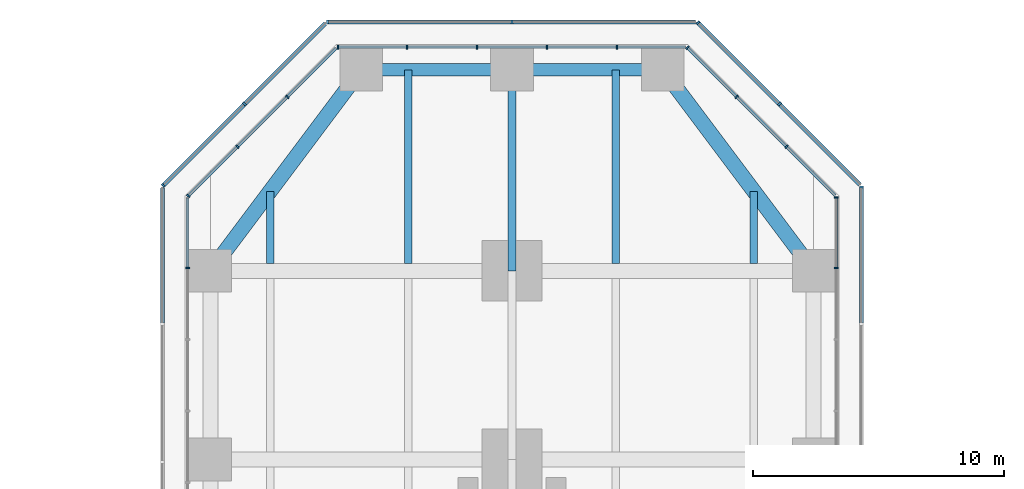
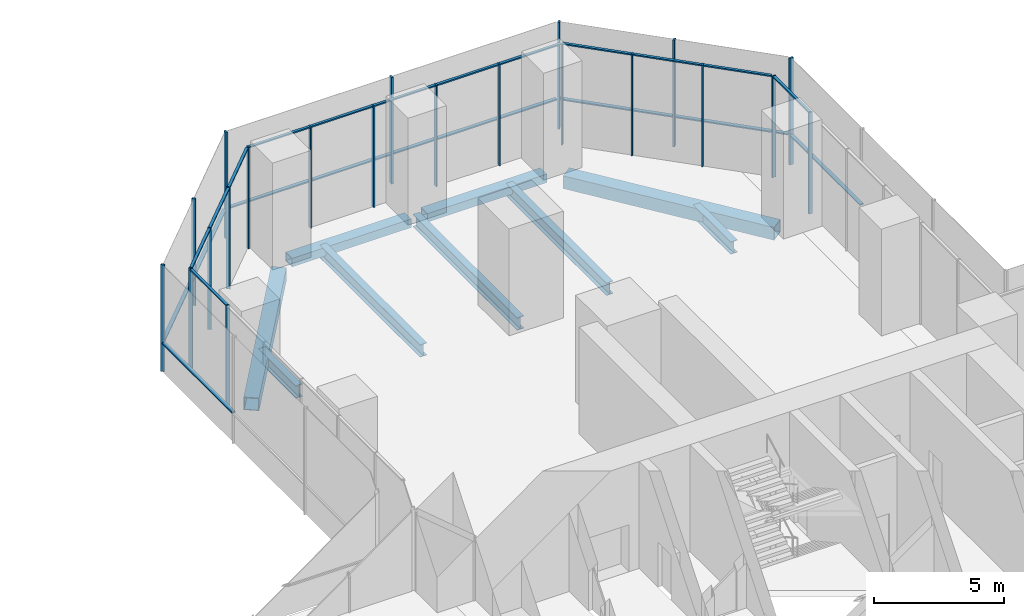
# One storey, part 12 of 23: 42 members, 9 beams, 10 elements without a shape of their own.
"""IFC4 building model written with IfcOpenShell, lengths in metres."""

from ifc_helpers import new_model, si_unit, direction, frame, origin, origin_2d, place, context, subcontext, project, spatial, rectangle, hollow_rectangle, i_section, extrude, material, material_profile, profile_set, type_object, element, aggregate, save


model = new_model("IFC4")

# Units and contexts
model_context = context("Model", 3, precision=1e-05, world=origin(), true_north=direction((0.0, 1.0)))
body_context = subcontext(model_context, "Body", "Model", "MODEL_VIEW")
ifc_project = project(units=[si_unit("LENGTHUNIT", "METRE"), si_unit("AREAUNIT", "SQUARE_METRE"), si_unit("VOLUMEUNIT", "CUBIC_METRE"), si_unit("PLANEANGLEUNIT", "RADIAN"), si_unit("MASSUNIT", "GRAM", prefix="KILO")], contexts=[model_context])

# Site, building, storey
site_placement = place(None, origin())
site = spatial("IfcSite", under=ifc_project, at=site_placement, CompositionType="ELEMENT")
building_placement = place(site_placement, origin())
building = spatial("IfcBuilding", under=site, at=building_placement, Name="Mizan Broadcast Tower", CompositionType="ELEMENT")
storey_placement = place(building_placement, frame((0.0, 0.0, 23.0)))
storey = spatial("IfcBuildingStorey", under=building, at=storey_placement, Name="L03", CompositionType="ELEMENT", Elevation=23.0)

# Beams
ifc_material_1 = material(Name="Steel S355", Category="steel")
ifc_material_profile_1 = material_profile(ifc_material_1, hollow_rectangle(XDim=0.5, YDim=0.39990234375, WallThickness=0.02490234375, at=origin_2d()), Name="BOX 400x500x25")
ifc_profile_set_1 = profile_set([ifc_material_profile_1], Name="Steel S355")
beam_type_1 = type_object("IfcBeamType", Name="EDGE BEAM BOX 400x500x25", PredefinedType="SPANDREL", material=ifc_profile_set_1)
for number, where, z_axis, x_axis, name in (
    (1, (5.639892578125, 35.0, -0.449951171875), (-1.0, 0.0, 0.0), (0.0, -1.0, 0.0), "Edge beam BOX 400x500x25 L03 north arm"),
    (2, (-5.639892578125, 35.0, -0.449951171875), (1.0, 0.0, 0.0), (0.0, 1.0, 0.0), "Edge beam BOX 400x500x25 L03 north arm"),
):
    element("IfcBeam", number, at=place(storey_placement, frame(where, z_axis=z_axis, x_axis=x_axis)), inside=storey, type_object=beam_type_1, Name=name, PredefinedType="SPANDREL", context=body_context, shape_type="SweptSolid", body=[
        extrude(hollow_rectangle(XDim=0.5, YDim=0.39990234375, WallThickness=0.02490234375, at=origin_2d()), origin(), (0.0, 0.0, 1.0), 5.27978515625),
    ])
ifc_material_2 = material(Name="Steel S355", Category="steel")
ifc_material_profile_2 = material_profile(ifc_material_2, hollow_rectangle(XDim=0.60009765625, YDim=0.60009765625, WallThickness=0.030029296875, at=origin_2d()), Name="BOX 600x600x30")
ifc_profile_set_2 = profile_set([ifc_material_profile_2], Name="Steel S355")
beam_type_2 = type_object("IfcBeamType", Name="EDGE BEAM BOX 600x600x30", PredefinedType="SPANDREL", material=ifc_profile_set_2)
for number, where, z_axis, x_axis, name in (
    (3, (11.639892578125, 27.47998046875, -0.550048828125), (-0.599982243973, 0.800013316712, 0.0), (-0.800013316712, -0.599982243973, 0.0), "Edge beam BOX 600x600x30 L03 north arm"),
    (4, (-11.639892578125, 27.47998046875, -0.550048828125), (0.599982243973, 0.800013316712, 0.0), (-0.800013316712, 0.599982243973, 0.0), "Edge beam BOX 600x600x30 L03 north arm"),
):
    element("IfcBeam", number, at=place(storey_placement, frame(where, z_axis=z_axis, x_axis=x_axis)), inside=storey, type_object=beam_type_2, Name=name, PredefinedType="SPANDREL", context=body_context, shape_type="SweptSolid", body=[
        extrude(hollow_rectangle(XDim=0.60009765625, YDim=0.60009765625, WallThickness=0.030029296875, at=origin_2d()), origin(), (0.0, 0.0, 1.0), 8.7998046875),
    ])

# Curtain wall, members
ifc_material_3 = material(Name="Aluminium framed glazing", Category="aluminium")
curtain_wall_type_1 = type_object("IfcCurtainWallType", Name="PODIUM CURTAIN WALL", PredefinedType="USERDEFINED", material=ifc_material_3)
curtain_wall_1_placement = place(storey_placement, origin())
curtain_wall_1 = element("IfcCurtainWall", 5, at=curtain_wall_1_placement, inside=storey, type_object=curtain_wall_type_1, Name="Podium curtain wall L03 N side", ObjectType="PODIUM CURTAIN WALL", PredefinedType="USERDEFINED")
ifc_material_4 = material(Name="Aluminium, pale anodised", Category="aluminium")
ifc_material_profile_3 = material_profile(ifc_material_4, rectangle(XDim=0.159912109375, YDim=0.06005859375, at=origin_2d()), Name="MULLION 160x60")
ifc_profile_set_3 = profile_set([ifc_material_profile_3], Name="Aluminium, pale anodised")
member_type_1 = type_object("IfcMemberType", Name="INNER SKIN MULLION 60x160", PredefinedType="MULLION", material=ifc_profile_set_3)
member_1_placement = place(storey_placement, frame((12.89990234375, 27.115478515625, 0.0), z_axis=(0.0, 0.0, 1.0), x_axis=(-1.0, 0.0, 0.0)))
member_1 = element("IfcMember", 6, at=member_1_placement, type_object=member_type_1, Name="Podium curtain wall L03 N side mullion 6", PredefinedType="MULLION", context=body_context, shape_type="SweptSolid", body=[
    extrude(rectangle(XDim=0.159912109375, YDim=0.06005859375, at=origin_2d()), origin(), (0.0, 0.0, 1.0), 4.75),
])
member_2_placement = place(storey_placement, frame((12.89990234375, 29.928466796875, 0.0), z_axis=(0.0, 0.0, 1.0), x_axis=(-1.0, 0.0, 0.0)))
member_2 = element("IfcMember", 7, at=member_2_placement, type_object=member_type_1, Name="Podium curtain wall L03 N side mullion 7", PredefinedType="MULLION", context=body_context, shape_type="SweptSolid", body=[
    extrude(rectangle(XDim=0.159912109375, YDim=0.06005859375, at=origin_2d()), origin(), (0.0, 0.0, 1.0), 4.75),
])

curtain_wall_2_placement = place(storey_placement, origin())
curtain_wall_2 = element("IfcCurtainWall", 8, at=curtain_wall_2_placement, inside=storey, type_object=curtain_wall_type_1, Name="Podium curtain wall L03 N chamfer", ObjectType="PODIUM CURTAIN WALL", PredefinedType="USERDEFINED")
member_3_placement = place(storey_placement, frame((10.91943359375, 31.93896484375, 0.0), z_axis=(0.0, 0.0, 1.0), x_axis=(-0.707106781187, -0.707106781187, 0.0)))
member_3 = element("IfcMember", 9, at=member_3_placement, type_object=member_type_1, Name="Podium curtain wall L03 N chamfer mullion 2", PredefinedType="MULLION", context=body_context, shape_type="SweptSolid", body=[
    extrude(rectangle(XDim=0.159912109375, YDim=0.06005859375, at=origin_2d()), origin(), (0.0, 0.0, 1.0), 4.75),
])
member_4_placement = place(storey_placement, frame((8.93896484375, 33.91943359375, 0.0), z_axis=(0.0, 0.0, 1.0), x_axis=(-0.707106781187, -0.707106781187, 0.0)))
member_4 = element("IfcMember", 10, at=member_4_placement, type_object=member_type_1, Name="Podium curtain wall L03 N chamfer mullion 3", PredefinedType="MULLION", context=body_context, shape_type="SweptSolid", body=[
    extrude(rectangle(XDim=0.159912109375, YDim=0.06005859375, at=origin_2d()), origin(), (0.0, 0.0, 1.0), 4.75),
])
member_5_placement = place(storey_placement, frame((6.979736328125, 35.87890625, 0.0), z_axis=(0.0, 0.0, 1.0), x_axis=(-0.707106781187, -0.707106781187, 0.0)))
member_5 = element("IfcMember", 11, at=member_5_placement, type_object=member_type_1, Name="Podium curtain wall L03 N chamfer mullion 4", PredefinedType="MULLION", context=body_context, shape_type="SweptSolid", body=[
    extrude(rectangle(XDim=0.159912109375, YDim=0.06005859375, at=origin_2d()), origin(), (0.0, 0.0, 1.0), 4.75),
])

curtain_wall_3_placement = place(storey_placement, origin())
curtain_wall_3 = element("IfcCurtainWall", 12, at=curtain_wall_3_placement, inside=storey, type_object=curtain_wall_type_1, Name="Podium curtain wall L03 N end", ObjectType="PODIUM CURTAIN WALL", PredefinedType="USERDEFINED")
member_6_placement = place(storey_placement, frame((4.175048828125, 35.89990234375, 0.0), z_axis=(0.0, 0.0, 1.0), x_axis=(0.0, -1.0, 0.0)))
member_6 = element("IfcMember", 13, at=member_6_placement, type_object=member_type_1, Name="Podium curtain wall L03 N end mullion 2", PredefinedType="MULLION", context=body_context, shape_type="SweptSolid", body=[
    extrude(rectangle(XDim=0.159912109375, YDim=0.06005859375, at=origin_2d()), origin(), (0.0, 0.0, 1.0), 4.75),
])
member_7_placement = place(storey_placement, frame((1.3916015625, 35.89990234375, 0.0), z_axis=(0.0, 0.0, 1.0), x_axis=(0.0, -1.0, 0.0)))
member_7 = element("IfcMember", 14, at=member_7_placement, type_object=member_type_1, Name="Podium curtain wall L03 N end mullion 3", PredefinedType="MULLION", context=body_context, shape_type="SweptSolid", body=[
    extrude(rectangle(XDim=0.159912109375, YDim=0.06005859375, at=origin_2d()), origin(), (0.0, 0.0, 1.0), 4.75),
])
member_8_placement = place(storey_placement, frame((-1.3916015625, 35.89990234375, 0.0), z_axis=(0.0, 0.0, 1.0), x_axis=(0.0, -1.0, 0.0)))
member_8 = element("IfcMember", 15, at=member_8_placement, type_object=member_type_1, Name="Podium curtain wall L03 N end mullion 4", PredefinedType="MULLION", context=body_context, shape_type="SweptSolid", body=[
    extrude(rectangle(XDim=0.159912109375, YDim=0.06005859375, at=origin_2d()), origin(), (0.0, 0.0, 1.0), 4.75),
])
member_9_placement = place(storey_placement, frame((-4.175048828125, 35.89990234375, 0.0), z_axis=(0.0, 0.0, 1.0), x_axis=(0.0, -1.0, 0.0)))
member_9 = element("IfcMember", 16, at=member_9_placement, type_object=member_type_1, Name="Podium curtain wall L03 N end mullion 5", PredefinedType="MULLION", context=body_context, shape_type="SweptSolid", body=[
    extrude(rectangle(XDim=0.159912109375, YDim=0.06005859375, at=origin_2d()), origin(), (0.0, 0.0, 1.0), 4.75),
])
member_10_placement = place(storey_placement, frame((-6.928466796875, 35.89990234375, 0.0), z_axis=(0.0, 0.0, 1.0), x_axis=(0.0, -1.0, 0.0)))
member_10 = element("IfcMember", 17, at=member_10_placement, type_object=member_type_1, Name="Podium curtain wall L03 N end mullion 6", PredefinedType="MULLION", context=body_context, shape_type="SweptSolid", body=[
    extrude(rectangle(XDim=0.159912109375, YDim=0.06005859375, at=origin_2d()), origin(), (0.0, 0.0, 1.0), 4.75),
])

curtain_wall_4_placement = place(storey_placement, origin())
curtain_wall_4 = element("IfcCurtainWall", 18, at=curtain_wall_4_placement, inside=storey, type_object=curtain_wall_type_1, Name="Podium curtain wall L03 N chamfer", ObjectType="PODIUM CURTAIN WALL", PredefinedType="USERDEFINED")
member_11_placement = place(storey_placement, frame((-8.93896484375, 33.91943359375, 0.0), z_axis=(0.0, 0.0, 1.0), x_axis=(0.707106781187, -0.707106781187, 0.0)))
member_11 = element("IfcMember", 19, at=member_11_placement, type_object=member_type_1, Name="Podium curtain wall L03 N chamfer mullion 2", PredefinedType="MULLION", context=body_context, shape_type="SweptSolid", body=[
    extrude(rectangle(XDim=0.159912109375, YDim=0.06005859375, at=origin_2d()), origin(), (0.0, 0.0, 1.0), 4.75),
])
member_12_placement = place(storey_placement, frame((-10.91943359375, 31.93896484375, 0.0), z_axis=(0.0, 0.0, 1.0), x_axis=(0.707106781187, -0.707106781187, 0.0)))
member_12 = element("IfcMember", 20, at=member_12_placement, type_object=member_type_1, Name="Podium curtain wall L03 N chamfer mullion 3", PredefinedType="MULLION", context=body_context, shape_type="SweptSolid", body=[
    extrude(rectangle(XDim=0.159912109375, YDim=0.06005859375, at=origin_2d()), origin(), (0.0, 0.0, 1.0), 4.75),
])
member_13_placement = place(storey_placement, frame((-12.87890625, 29.979736328125, 0.0), z_axis=(0.0, 0.0, 1.0), x_axis=(0.707106781187, -0.707106781187, 0.0)))
member_13 = element("IfcMember", 21, at=member_13_placement, type_object=member_type_1, Name="Podium curtain wall L03 N chamfer mullion 4", PredefinedType="MULLION", context=body_context, shape_type="SweptSolid", body=[
    extrude(rectangle(XDim=0.159912109375, YDim=0.06005859375, at=origin_2d()), origin(), (0.0, 0.0, 1.0), 4.75),
])

# Curtain wall, member
curtain_wall_5_placement = place(storey_placement, origin())
curtain_wall_5 = element("IfcCurtainWall", 22, at=curtain_wall_5_placement, inside=storey, type_object=curtain_wall_type_1, Name="Podium curtain wall L03 N side", ObjectType="PODIUM CURTAIN WALL", PredefinedType="USERDEFINED")
member_14_placement = place(storey_placement, frame((-12.89990234375, 27.115478515625, 0.0), z_axis=(0.0, 0.0, 1.0), x_axis=(1.0, 0.0, 0.0)))
member_14 = element("IfcMember", 23, at=member_14_placement, type_object=member_type_1, Name="Podium curtain wall L03 N side mullion 2", PredefinedType="MULLION", context=body_context, shape_type="SweptSolid", body=[
    extrude(rectangle(XDim=0.159912109375, YDim=0.06005859375, at=origin_2d()), origin(), (0.0, 0.0, 1.0), 4.75),
])

# Member
ifc_material_5 = material(Name="Aluminium, pale anodised", Category="aluminium")
ifc_material_profile_4 = material_profile(ifc_material_5, rectangle(XDim=0.1201171875, YDim=0.06005859375, at=origin_2d()), Name="TRANSOM 120x60")
ifc_profile_set_4 = profile_set([ifc_material_profile_4], Name="Aluminium, pale anodised")
member_type_2 = type_object("IfcMemberType", Name="INNER SKIN TRANSOM 60x120", PredefinedType="USERDEFINED", material=ifc_profile_set_4)
member_15_placement = place(storey_placement, frame((12.89990234375, 27.1455078125, 4.719970703125), z_axis=(0.0, 1.0, 0.0), x_axis=(-1.0, 0.0, 0.0)))
member_15 = element("IfcMember", 24, at=member_15_placement, type_object=member_type_2, Name="Podium curtain wall L03 N side transom 6.1", ObjectType="TRANSOM", PredefinedType="USERDEFINED", context=body_context, shape_type="SweptSolid", body=[
    extrude(rectangle(XDim=0.1201171875, YDim=0.06005859375, at=origin_2d()), origin(), (0.0, 0.0, 1.0), 2.753173828125),
])

aggregate(curtain_wall_1, [member_1, member_2, member_15])

member_16_placement = place(storey_placement, frame((12.857666015625, 30.0009765625, 4.719970703125), z_axis=(-0.707151809797, 0.707061749709, 0.0), x_axis=(-0.707061749709, -0.707151809797, 0.0)))
member_16 = element("IfcMember", 25, at=member_16_placement, type_object=member_type_2, Name="Podium curtain wall L03 N chamfer transom 1.1", ObjectType="TRANSOM", PredefinedType="USERDEFINED", context=body_context, shape_type="SweptSolid", body=[
    extrude(rectangle(XDim=0.1201171875, YDim=0.06005859375, at=origin_2d()), origin(), (0.0, 0.0, 1.0), 2.7109375),
])

member_17_placement = place(storey_placement, frame((10.898193359375, 31.960205078125, 4.719970703125), z_axis=(-0.707106781187, 0.707106781187, 0.0), x_axis=(-0.707106781187, -0.707106781187, 0.0)))
member_17 = element("IfcMember", 26, at=member_17_placement, type_object=member_type_2, Name="Podium curtain wall L03 N chamfer transom 2.1", ObjectType="TRANSOM", PredefinedType="USERDEFINED", context=body_context, shape_type="SweptSolid", body=[
    extrude(rectangle(XDim=0.1201171875, YDim=0.06005859375, at=origin_2d()), origin(), (0.0, 0.0, 1.0), 2.74072265625),
])

member_18_placement = place(storey_placement, frame((8.917724609375, 33.940673828125, 4.719970703125), z_axis=(-0.707061749709, 0.707151809797, 0.0), x_axis=(-0.707151809797, -0.707061749709, 0.0)))
member_18 = element("IfcMember", 27, at=member_18_placement, type_object=member_type_2, Name="Podium curtain wall L03 N chamfer transom 3.1", ObjectType="TRANSOM", PredefinedType="USERDEFINED", context=body_context, shape_type="SweptSolid", body=[
    extrude(rectangle(XDim=0.1201171875, YDim=0.06005859375, at=origin_2d()), origin(), (0.0, 0.0, 1.0), 2.7109375),
])

aggregate(curtain_wall_2, [member_3, member_4, member_5, member_16, member_17, member_18])

member_19_placement = place(storey_placement, frame((6.898681640625, 35.89990234375, 4.719970703125), z_axis=(-1.0, 0.0, 0.0), x_axis=(0.0, -1.0, 0.0)))
member_19 = element("IfcMember", 28, at=member_19_placement, type_object=member_type_2, Name="Podium curtain wall L03 N end transom 1.1", ObjectType="TRANSOM", PredefinedType="USERDEFINED", context=body_context, shape_type="SweptSolid", body=[
    extrude(rectangle(XDim=0.1201171875, YDim=0.06005859375, at=origin_2d()), origin(), (0.0, 0.0, 1.0), 2.693603515625),
])

member_20_placement = place(storey_placement, frame((4.145263671875, 35.89990234375, 4.719970703125), z_axis=(-1.0, 0.0, 0.0), x_axis=(0.0, -1.0, 0.0)))
member_20 = element("IfcMember", 29, at=member_20_placement, type_object=member_type_2, Name="Podium curtain wall L03 N end transom 2.1", ObjectType="TRANSOM", PredefinedType="USERDEFINED", context=body_context, shape_type="SweptSolid", body=[
    extrude(rectangle(XDim=0.1201171875, YDim=0.06005859375, at=origin_2d()), origin(), (0.0, 0.0, 1.0), 2.7236328125),
])

member_21_placement = place(storey_placement, frame((1.36181640625, 35.89990234375, 4.719970703125), z_axis=(-1.0, 0.0, 0.0), x_axis=(0.0, -1.0, 0.0)))
member_21 = element("IfcMember", 30, at=member_21_placement, type_object=member_type_2, Name="Podium curtain wall L03 N end transom 3.1", ObjectType="TRANSOM", PredefinedType="USERDEFINED", context=body_context, shape_type="SweptSolid", body=[
    extrude(rectangle(XDim=0.1201171875, YDim=0.06005859375, at=origin_2d()), origin(), (0.0, 0.0, 1.0), 2.7236328125),
])

member_22_placement = place(storey_placement, frame((-1.421630859375, 35.89990234375, 4.719970703125), z_axis=(-1.0, 0.0, 0.0), x_axis=(0.0, -1.0, 0.0)))
member_22 = element("IfcMember", 31, at=member_22_placement, type_object=member_type_2, Name="Podium curtain wall L03 N end transom 4.1", ObjectType="TRANSOM", PredefinedType="USERDEFINED", context=body_context, shape_type="SweptSolid", body=[
    extrude(rectangle(XDim=0.1201171875, YDim=0.06005859375, at=origin_2d()), origin(), (0.0, 0.0, 1.0), 2.7236328125),
])

member_23_placement = place(storey_placement, frame((-4.205078125, 35.89990234375, 4.719970703125), z_axis=(-1.0, 0.0, 0.0), x_axis=(0.0, -1.0, 0.0)))
member_23 = element("IfcMember", 32, at=member_23_placement, type_object=member_type_2, Name="Podium curtain wall L03 N end transom 5.1", ObjectType="TRANSOM", PredefinedType="USERDEFINED", context=body_context, shape_type="SweptSolid", body=[
    extrude(rectangle(XDim=0.1201171875, YDim=0.06005859375, at=origin_2d()), origin(), (0.0, 0.0, 1.0), 2.693603515625),
])

aggregate(curtain_wall_3, [member_6, member_7, member_8, member_9, member_10, member_19, member_20, member_21, member_22, member_23])

member_24_placement = place(storey_placement, frame((-7.0009765625, 35.857666015625, 4.719970703125), z_axis=(-0.707061749709, -0.707151809797, 0.0), x_axis=(0.707151809797, -0.707061749709, 0.0)))
member_24 = element("IfcMember", 33, at=member_24_placement, type_object=member_type_2, Name="Podium curtain wall L03 N chamfer transom 1.1", ObjectType="TRANSOM", PredefinedType="USERDEFINED", context=body_context, shape_type="SweptSolid", body=[
    extrude(rectangle(XDim=0.1201171875, YDim=0.06005859375, at=origin_2d()), origin(), (0.0, 0.0, 1.0), 2.7109375),
])

member_25_placement = place(storey_placement, frame((-8.960205078125, 33.898193359375, 4.719970703125), z_axis=(-0.707106781187, -0.707106781187, 0.0), x_axis=(0.707106781187, -0.707106781187, 0.0)))
member_25 = element("IfcMember", 34, at=member_25_placement, type_object=member_type_2, Name="Podium curtain wall L03 N chamfer transom 2.1", ObjectType="TRANSOM", PredefinedType="USERDEFINED", context=body_context, shape_type="SweptSolid", body=[
    extrude(rectangle(XDim=0.1201171875, YDim=0.06005859375, at=origin_2d()), origin(), (0.0, 0.0, 1.0), 2.74072265625),
])

member_26_placement = place(storey_placement, frame((-10.940673828125, 31.917724609375, 4.719970703125), z_axis=(-0.707151809797, -0.707061749709, 0.0), x_axis=(0.707061749709, -0.707151809797, 0.0)))
member_26 = element("IfcMember", 35, at=member_26_placement, type_object=member_type_2, Name="Podium curtain wall L03 N chamfer transom 3.1", ObjectType="TRANSOM", PredefinedType="USERDEFINED", context=body_context, shape_type="SweptSolid", body=[
    extrude(rectangle(XDim=0.1201171875, YDim=0.06005859375, at=origin_2d()), origin(), (0.0, 0.0, 1.0), 2.7109375),
])

aggregate(curtain_wall_4, [member_11, member_12, member_13, member_24, member_25, member_26])

member_27_placement = place(storey_placement, frame((-12.89990234375, 29.898681640625, 4.719970703125), z_axis=(0.0, -1.0, 0.0), x_axis=(1.0, 0.0, 0.0)))
member_27 = element("IfcMember", 36, at=member_27_placement, type_object=member_type_2, Name="Podium curtain wall L03 N side transom 1.1", ObjectType="TRANSOM", PredefinedType="USERDEFINED", context=body_context, shape_type="SweptSolid", body=[
    extrude(rectangle(XDim=0.1201171875, YDim=0.06005859375, at=origin_2d()), origin(), (0.0, 0.0, 1.0), 2.753173828125),
])

aggregate(curtain_wall_5, [member_14, member_27])

# Curtain wall, member
ifc_material_6 = material(Name="Aluminium framed glazing", Category="aluminium")
curtain_wall_type_2 = type_object("IfcCurtainWallType", Name="OUTER SKIN", PredefinedType="USERDEFINED", material=ifc_material_6)
curtain_wall_6_placement = place(storey_placement, origin())
curtain_wall_6 = element("IfcCurtainWall", 37, at=curtain_wall_6_placement, inside=storey, type_object=curtain_wall_type_2, Name="Outer skin L03 N side", ObjectType="OUTER SKIN", PredefinedType="USERDEFINED")
ifc_material_7 = material(Name="Aluminium, pale anodised", Category="aluminium")
ifc_material_profile_5 = material_profile(ifc_material_7, rectangle(XDim=0.159912109375, YDim=0.080078125, at=origin_2d()), Name="MULLION 160x80")
ifc_profile_set_5 = profile_set([ifc_material_profile_5], Name="Aluminium, pale anodised")
member_type_3 = type_object("IfcMemberType", Name="OUTER SKIN MULLION 80x160", PredefinedType="MULLION", material=ifc_profile_set_5)
member_28_placement = place(storey_placement, frame((13.89990234375, 30.332763671875, 0.0), z_axis=(0.0, 0.0, 1.0), x_axis=(-1.0, 0.0, 0.0)))
member_28 = element("IfcMember", 38, at=member_28_placement, type_object=member_type_3, Name="Outer skin L03 N side mullion 4", PredefinedType="MULLION", context=body_context, shape_type="SweptSolid", body=[
    extrude(rectangle(XDim=0.159912109375, YDim=0.080078125, at=origin_2d()), origin(), (0.0, 0.0, 1.0), 5.0),
])

# Curtain wall, members
curtain_wall_7_placement = place(storey_placement, origin())
curtain_wall_7 = element("IfcCurtainWall", 39, at=curtain_wall_7_placement, inside=storey, type_object=curtain_wall_type_2, Name="Outer skin L03 N chamfer", ObjectType="OUTER SKIN", PredefinedType="USERDEFINED")
member_29_placement = place(storey_placement, frame((10.636474609375, 33.636474609375, 0.0), z_axis=(0.0, 0.0, 1.0), x_axis=(-0.707106781187, -0.707106781187, 0.0)))
member_29 = element("IfcMember", 40, at=member_29_placement, type_object=member_type_3, Name="Outer skin L03 N chamfer mullion 2", PredefinedType="MULLION", context=body_context, shape_type="SweptSolid", body=[
    extrude(rectangle(XDim=0.159912109375, YDim=0.080078125, at=origin_2d()), origin(), (0.0, 0.0, 1.0), 5.0),
])
member_30_placement = place(storey_placement, frame((7.401123046875, 36.871826171875, 0.0), z_axis=(0.0, 0.0, 1.0), x_axis=(-0.707106781187, -0.707106781187, 0.0)))
member_30 = element("IfcMember", 41, at=member_30_placement, type_object=member_type_3, Name="Outer skin L03 N chamfer mullion 3", PredefinedType="MULLION", context=body_context, shape_type="SweptSolid", body=[
    extrude(rectangle(XDim=0.159912109375, YDim=0.080078125, at=origin_2d()), origin(), (0.0, 0.0, 1.0), 5.0),
])

curtain_wall_8_placement = place(storey_placement, origin())
curtain_wall_8 = element("IfcCurtainWall", 42, at=curtain_wall_8_placement, inside=storey, type_object=curtain_wall_type_2, Name="Outer skin L03 N end", ObjectType="OUTER SKIN", PredefinedType="USERDEFINED")
member_31_placement = place(storey_placement, frame((0.0, 36.89990234375, 0.0), z_axis=(0.0, 0.0, 1.0), x_axis=(0.0, -1.0, 0.0)))
member_31 = element("IfcMember", 43, at=member_31_placement, type_object=member_type_3, Name="Outer skin L03 N end mullion 2", PredefinedType="MULLION", context=body_context, shape_type="SweptSolid", body=[
    extrude(rectangle(XDim=0.159912109375, YDim=0.080078125, at=origin_2d()), origin(), (0.0, 0.0, 1.0), 5.0),
])
member_32_placement = place(storey_placement, frame((-7.332763671875, 36.89990234375, 0.0), z_axis=(0.0, 0.0, 1.0), x_axis=(0.0, -1.0, 0.0)))
member_32 = element("IfcMember", 44, at=member_32_placement, type_object=member_type_3, Name="Outer skin L03 N end mullion 3", PredefinedType="MULLION", context=body_context, shape_type="SweptSolid", body=[
    extrude(rectangle(XDim=0.159912109375, YDim=0.080078125, at=origin_2d()), origin(), (0.0, 0.0, 1.0), 5.0),
])

curtain_wall_9_placement = place(storey_placement, origin())
curtain_wall_9 = element("IfcCurtainWall", 45, at=curtain_wall_9_placement, inside=storey, type_object=curtain_wall_type_2, Name="Outer skin L03 N chamfer", ObjectType="OUTER SKIN", PredefinedType="USERDEFINED")
member_33_placement = place(storey_placement, frame((-10.636474609375, 33.636474609375, 0.0), z_axis=(0.0, 0.0, 1.0), x_axis=(0.707106781187, -0.707106781187, 0.0)))
member_33 = element("IfcMember", 46, at=member_33_placement, type_object=member_type_3, Name="Outer skin L03 N chamfer mullion 2", PredefinedType="MULLION", context=body_context, shape_type="SweptSolid", body=[
    extrude(rectangle(XDim=0.159912109375, YDim=0.080078125, at=origin_2d()), origin(), (0.0, 0.0, 1.0), 5.0),
])
member_34_placement = place(storey_placement, frame((-13.871826171875, 30.401123046875, 0.0), z_axis=(0.0, 0.0, 1.0), x_axis=(0.707106781187, -0.707106781187, 0.0)))
member_34 = element("IfcMember", 47, at=member_34_placement, type_object=member_type_3, Name="Outer skin L03 N chamfer mullion 3", PredefinedType="MULLION", context=body_context, shape_type="SweptSolid", body=[
    extrude(rectangle(XDim=0.159912109375, YDim=0.080078125, at=origin_2d()), origin(), (0.0, 0.0, 1.0), 5.0),
])

# Member
ifc_material_8 = material(Name="Aluminium, pale anodised", Category="aluminium")
ifc_material_profile_6 = material_profile(ifc_material_8, rectangle(XDim=0.159912109375, YDim=0.06005859375, at=origin_2d()), Name="TRANSOM 160x60")
ifc_profile_set_6 = profile_set([ifc_material_profile_6], Name="Aluminium, pale anodised")
member_type_4 = type_object("IfcMemberType", Name="OUTER SKIN TRANSOM 60x160", PredefinedType="USERDEFINED", material=ifc_profile_set_6)
member_35_placement = place(storey_placement, frame((13.89990234375, 24.921875, 1.39990234375), z_axis=(0.0, 1.0, 0.0), x_axis=(-1.0, 0.0, 0.0)))
member_35 = element("IfcMember", 48, at=member_35_placement, type_object=member_type_4, Name="Outer skin L03 N side transom 3.1", ObjectType="TRANSOM", PredefinedType="USERDEFINED", context=body_context, shape_type="SweptSolid", body=[
    extrude(rectangle(XDim=0.159912109375, YDim=0.06005859375, at=origin_2d()), origin(), (0.0, 0.0, 1.0), 5.370849609375),
])

aggregate(curtain_wall_6, [member_28, member_35])

member_36_placement = place(storey_placement, frame((13.843505859375, 30.429443359375, 1.39990234375), z_axis=(-0.707106781187, 0.707106781187, 0.0), x_axis=(-0.707106781187, -0.707106781187, 0.0)))
member_36 = element("IfcMember", 49, at=member_36_placement, type_object=member_type_4, Name="Outer skin L03 N chamfer transom 1.1", ObjectType="TRANSOM", PredefinedType="USERDEFINED", context=body_context, shape_type="SweptSolid", body=[
    extrude(rectangle(XDim=0.159912109375, YDim=0.06005859375, at=origin_2d()), origin(), (0.0, 0.0, 1.0), 4.495361328125),
])

member_37_placement = place(storey_placement, frame((10.608154296875, 33.664794921875, 1.39990234375), z_axis=(-0.707106781187, 0.707106781187, 0.0), x_axis=(-0.707106781187, -0.707106781187, 0.0)))
member_37 = element("IfcMember", 50, at=member_37_placement, type_object=member_type_4, Name="Outer skin L03 N chamfer transom 2.1", ObjectType="TRANSOM", PredefinedType="USERDEFINED", context=body_context, shape_type="SweptSolid", body=[
    extrude(rectangle(XDim=0.159912109375, YDim=0.06005859375, at=origin_2d()), origin(), (0.0, 0.0, 1.0), 4.495361328125),
])

aggregate(curtain_wall_7, [member_29, member_30, member_36, member_37])

member_38_placement = place(storey_placement, frame((7.292724609375, 36.89990234375, 1.39990234375), z_axis=(-1.0, 0.0, 0.0), x_axis=(0.0, -1.0, 0.0)))
member_38 = element("IfcMember", 51, at=member_38_placement, type_object=member_type_4, Name="Outer skin L03 N end transom 1.1", ObjectType="TRANSOM", PredefinedType="USERDEFINED", context=body_context, shape_type="SweptSolid", body=[
    extrude(rectangle(XDim=0.159912109375, YDim=0.06005859375, at=origin_2d()), origin(), (0.0, 0.0, 1.0), 7.252685546875),
])

member_39_placement = place(storey_placement, frame((-0.0400390625, 36.89990234375, 1.39990234375), z_axis=(-1.0, 0.0, 0.0), x_axis=(0.0, -1.0, 0.0)))
member_39 = element("IfcMember", 52, at=member_39_placement, type_object=member_type_4, Name="Outer skin L03 N end transom 2.1", ObjectType="TRANSOM", PredefinedType="USERDEFINED", context=body_context, shape_type="SweptSolid", body=[
    extrude(rectangle(XDim=0.159912109375, YDim=0.06005859375, at=origin_2d()), origin(), (0.0, 0.0, 1.0), 7.252685546875),
])

aggregate(curtain_wall_8, [member_31, member_32, member_38, member_39])

member_40_placement = place(storey_placement, frame((-7.429443359375, 36.843505859375, 1.39990234375), z_axis=(-0.707106781187, -0.707106781187, 0.0), x_axis=(0.707106781187, -0.707106781187, 0.0)))
member_40 = element("IfcMember", 53, at=member_40_placement, type_object=member_type_4, Name="Outer skin L03 N chamfer transom 1.1", ObjectType="TRANSOM", PredefinedType="USERDEFINED", context=body_context, shape_type="SweptSolid", body=[
    extrude(rectangle(XDim=0.159912109375, YDim=0.06005859375, at=origin_2d()), origin(), (0.0, 0.0, 1.0), 4.495361328125),
])

member_41_placement = place(storey_placement, frame((-10.664794921875, 33.608154296875, 1.39990234375), z_axis=(-0.707106781187, -0.707106781187, 0.0), x_axis=(0.707106781187, -0.707106781187, 0.0)))
member_41 = element("IfcMember", 54, at=member_41_placement, type_object=member_type_4, Name="Outer skin L03 N chamfer transom 2.1", ObjectType="TRANSOM", PredefinedType="USERDEFINED", context=body_context, shape_type="SweptSolid", body=[
    extrude(rectangle(XDim=0.159912109375, YDim=0.06005859375, at=origin_2d()), origin(), (0.0, 0.0, 1.0), 4.495361328125),
])

aggregate(curtain_wall_9, [member_33, member_34, member_40, member_41])

# Curtain wall, member
curtain_wall_10_placement = place(storey_placement, origin())
curtain_wall_10 = element("IfcCurtainWall", 55, at=curtain_wall_10_placement, inside=storey, type_object=curtain_wall_type_2, Name="Outer skin L03 N side", ObjectType="OUTER SKIN", PredefinedType="USERDEFINED")
member_42_placement = place(storey_placement, frame((-13.89990234375, 30.292724609375, 1.39990234375), z_axis=(0.0, -1.0, 0.0), x_axis=(1.0, 0.0, 0.0)))
member_42 = element("IfcMember", 56, at=member_42_placement, type_object=member_type_4, Name="Outer skin L03 N side transom 1.1", ObjectType="TRANSOM", PredefinedType="USERDEFINED", context=body_context, shape_type="SweptSolid", body=[
    extrude(rectangle(XDim=0.159912109375, YDim=0.06005859375, at=origin_2d()), origin(), (0.0, 0.0, 1.0), 5.370849609375),
])
aggregate(curtain_wall_10, [member_42])

# Beams
ifc_material_9 = material(Name="Steel S355", Category="steel")
ifc_material_profile_7 = material_profile(ifc_material_9, i_section(OverallWidth=0.300048828125, OverallDepth=0.590087890625, WebThickness=0.012939453125, FlangeThickness=0.02490234375, FilletRadius=0.027099609375, at=origin_2d()), Name="HEA 600")
ifc_profile_set_7 = profile_set([ifc_material_profile_7], Name="Steel S355")
beam_type_3 = type_object("IfcBeamType", Name="SECONDARY BEAM HEA 600", PredefinedType="JOIST", material=ifc_profile_set_7)
beam_1_placement = place(storey_placement, frame((9.625, 27.300048828125, -0.544921875), z_axis=(0.0, 1.0, 0.0), x_axis=(-1.0, 0.0, 0.0)))
element("IfcBeam", 57, at=beam_1_placement, inside=storey, type_object=beam_type_3, Name="Secondary beam HEA 600 L03 north arm", PredefinedType="JOIST", context=body_context, shape_type="SweptSolid", body=[
    extrude(i_section(OverallWidth=0.300048828125, OverallDepth=0.590087890625, WebThickness=0.012939453125, FlangeThickness=0.02490234375, FilletRadius=0.027099609375, at=origin_2d()), origin(), (0.0, 0.0, 1.0), 2.86669921875),
])
beam_2_placement = place(storey_placement, frame((4.125, 27.300048828125, -0.544921875), z_axis=(0.0, 1.0, 0.0), x_axis=(-1.0, 0.0, 0.0)))
element("IfcBeam", 58, at=beam_2_placement, inside=storey, type_object=beam_type_3, Name="Secondary beam HEA 600 L03 north arm", PredefinedType="JOIST", context=body_context, shape_type="SweptSolid", body=[
    extrude(i_section(OverallWidth=0.300048828125, OverallDepth=0.590087890625, WebThickness=0.012939453125, FlangeThickness=0.02490234375, FilletRadius=0.027099609375, at=origin_2d()), origin(), (0.0, 0.0, 1.0), 7.699951171875),
])
beam_3_placement = place(storey_placement, frame((0.0, 27.0, -0.544921875), z_axis=(0.0, 1.0, 0.0), x_axis=(-1.0, 0.0, 0.0)))
element("IfcBeam", 59, at=beam_3_placement, inside=storey, type_object=beam_type_3, Name="Secondary beam HEA 600 L03 north arm", PredefinedType="JOIST", context=body_context, shape_type="SweptSolid", body=[
    extrude(i_section(OverallWidth=0.300048828125, OverallDepth=0.590087890625, WebThickness=0.012939453125, FlangeThickness=0.02490234375, FilletRadius=0.027099609375, at=origin_2d()), origin(), (0.0, 0.0, 1.0), 8.0),
])
beam_4_placement = place(storey_placement, frame((-4.125, 27.300048828125, -0.544921875), z_axis=(0.0, 1.0, 0.0), x_axis=(-1.0, 0.0, 0.0)))
element("IfcBeam", 60, at=beam_4_placement, inside=storey, type_object=beam_type_3, Name="Secondary beam HEA 600 L03 north arm", PredefinedType="JOIST", context=body_context, shape_type="SweptSolid", body=[
    extrude(i_section(OverallWidth=0.300048828125, OverallDepth=0.590087890625, WebThickness=0.012939453125, FlangeThickness=0.02490234375, FilletRadius=0.027099609375, at=origin_2d()), origin(), (0.0, 0.0, 1.0), 7.699951171875),
])
beam_5_placement = place(storey_placement, frame((-9.625, 27.300048828125, -0.544921875), z_axis=(0.0, 1.0, 0.0), x_axis=(-1.0, 0.0, 0.0)))
element("IfcBeam", 61, at=beam_5_placement, inside=storey, type_object=beam_type_3, Name="Secondary beam HEA 600 L03 north arm", PredefinedType="JOIST", context=body_context, shape_type="SweptSolid", body=[
    extrude(i_section(OverallWidth=0.300048828125, OverallDepth=0.590087890625, WebThickness=0.012939453125, FlangeThickness=0.02490234375, FilletRadius=0.027099609375, at=origin_2d()), origin(), (0.0, 0.0, 1.0), 2.86669921875),
])

save(model, "model.ifc")
